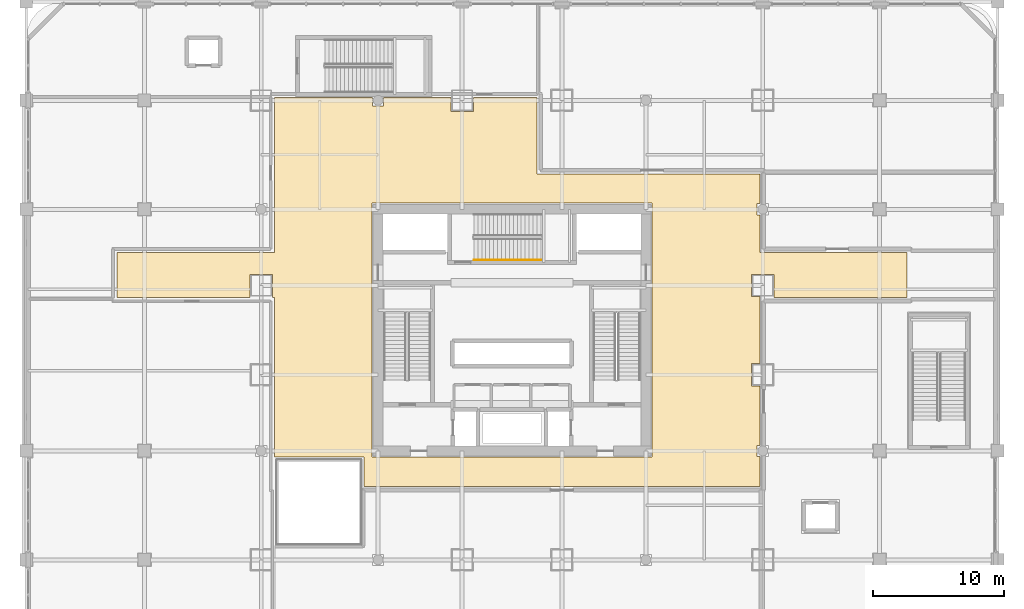
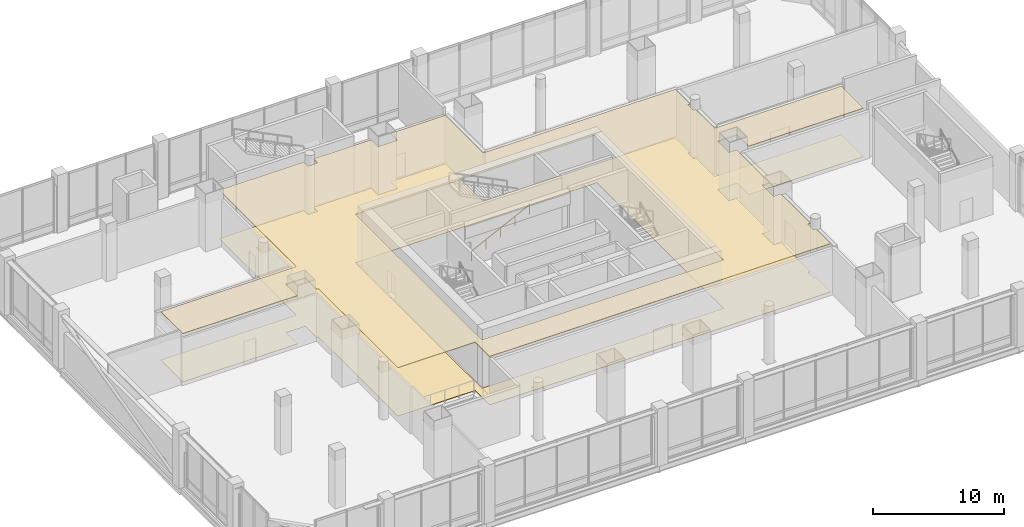
# One storey, part 34 of 39: 2 coverings, 1 railing.
"""IFC4 building model written with IfcOpenShell, lengths in metres."""

from ifc_helpers import new_model, si_unit, direction, frame, origin, origin_2d, place, context, subcontext, project, spatial, polyline, circle, outline, extrude, material, layer, layer_set, type_object, element, save


model = new_model("IFC4")

# Units and contexts
model_context = context("Model", 3, precision=1e-05, world=origin(), true_north=direction((0.0, 1.0)))
body_context = subcontext(model_context, "Body", "Model", "MODEL_VIEW")
ifc_project = project(units=[si_unit("LENGTHUNIT", "METRE"), si_unit("AREAUNIT", "SQUARE_METRE"), si_unit("VOLUMEUNIT", "CUBIC_METRE"), si_unit("PLANEANGLEUNIT", "RADIAN"), si_unit("MASSUNIT", "GRAM", prefix="KILO")], contexts=[model_context])

# Site, building, storey
site_placement = place(None, origin())
site = spatial("IfcSite", under=ifc_project, at=site_placement, CompositionType="ELEMENT")
building_placement = place(site_placement, origin())
building = spatial("IfcBuilding", under=site, at=building_placement, Name="Punatoya Terracotta Tower", CompositionType="ELEMENT")
storey_placement = place(building_placement, frame((0.0, 0.0, 11.39990234375)))
storey = spatial("IfcBuildingStorey", under=building, at=storey_placement, Name="L02", CompositionType="ELEMENT", Elevation=11.39990234375)

# Coverings
ifc_material_1 = material(Name="Acoustic Mineral Fibre Ceiling")
ifc_layer_1 = layer(ifc_material_1, 0.06005859375)
ifc_layer_set_1 = layer_set([ifc_layer_1], Name="Acoustic Mineral Fibre Ceiling")
covering_type_1 = type_object("IfcCoveringType", Name="COV-CEIL-60", PredefinedType="CEILING", material=ifc_layer_set_1)
covering_1_placement = place(storey_placement, frame((0.0, 0.0, 4.510009765625)))
element("IfcCovering", 1, at=covering_1_placement, inside=storey, type_object=covering_type_1, Name="L02 Dining Concourse Circulation Gallery Acoustic Ceiling", PredefinedType="CEILING", context=body_context, shape_type="SweptSolid", body=[
    extrude(outline(polyline([(-19.949951171875, 2.5), (-19.949951171875, 4.25), (-18.25, 4.25), (-18.25, 2.5), (-18.10009765625, 2.5), (-18.10009765625, -9.679931640625), (-11.280029296875, -9.679931640625), (-11.280029296875, -11.89990234375), (18.89990234375, -11.89990234375), (18.89990234375, -9.625), (18.675048828125, -9.625), (18.675048828125, -8.77490234375), (18.89990234375, -8.77490234375), (18.89990234375, -4.25), (18.25, -4.25), (18.25, -2.550048828125), (18.89990234375, -2.550048828125), (18.89990234375, 2.550048828125), (18.25, 2.550048828125), (18.25, 4.25), (19.949951171875, 4.25), (19.949951171875, 2.5), (30.10009765625, 2.5), (30.10009765625, 5.89990234375), (18.89990234375, 5.89990234375), (18.89990234375, 8.77490234375), (18.675048828125, 8.77490234375), (18.675048828125, 9.625), (18.89990234375, 9.625), (18.89990234375, 11.89990234375), (1.89990234375, 11.89990234375), (1.89990234375, 17.699951171875), (-2.949951171875, 17.699951171875), (-2.949951171875, 16.64990234375), (-4.64990234375, 16.64990234375), (-4.64990234375, 17.699951171875), (-9.77490234375, 17.699951171875), (-9.77490234375, 17.074951171875), (-10.625, 17.074951171875), (-10.625, 17.699951171875), (-18.10009765625, 17.699951171875), (-18.10009765625, 5.89990234375), (-30.10009765625, 5.89990234375), (-30.10009765625, 2.5), (-19.949951171875, 2.5)]), holes=[polyline([(10.679931640625, -9.679931640625), (-10.679931640625, -9.679931640625), (-10.679931640625, 9.679931640625), (10.679931640625, 9.679931640625), (10.679931640625, -9.679931640625)])]), origin(), (0.0, 0.0, 1.0), 0.06005859375),
])
ifc_material_2 = material(Name="Sandstone & Raised Access Flooring", Category="masonry")
ifc_layer_2 = layer(ifc_material_2, 0.080078125)
ifc_layer_set_2 = layer_set([ifc_layer_2], Name="Sandstone & Raised Access Flooring")
covering_type_2 = type_object("IfcCoveringType", Name="COV-FLR-80", PredefinedType="FLOORING", material=ifc_layer_set_2)
covering_2_placement = place(storey_placement, origin())
element("IfcCovering", 2, at=covering_2_placement, inside=storey, type_object=covering_type_2, Name="L02 Dining Concourse Circulation Gallery Stone Floor Finish", PredefinedType="FLOORING", context=body_context, shape_type="SweptSolid", body=[
    extrude(outline(polyline([(-19.949951171875, 2.5), (-19.949951171875, 4.25), (-18.25, 4.25), (-18.25, 2.5), (-18.10009765625, 2.5), (-18.10009765625, -9.679931640625), (-11.280029296875, -9.679931640625), (-11.280029296875, -11.89990234375), (18.89990234375, -11.89990234375), (18.89990234375, -9.625), (18.675048828125, -9.625), (18.675048828125, -8.77490234375), (18.89990234375, -8.77490234375), (18.89990234375, -4.25), (18.25, -4.25), (18.25, -2.550048828125), (18.89990234375, -2.550048828125), (18.89990234375, 2.550048828125), (18.25, 2.550048828125), (18.25, 4.25), (19.949951171875, 4.25), (19.949951171875, 2.5), (30.10009765625, 2.5), (30.10009765625, 5.89990234375), (18.89990234375, 5.89990234375), (18.89990234375, 8.77490234375), (18.675048828125, 8.77490234375), (18.675048828125, 9.625), (18.89990234375, 9.625), (18.89990234375, 11.89990234375), (1.89990234375, 11.89990234375), (1.89990234375, 17.699951171875), (-2.949951171875, 17.699951171875), (-2.949951171875, 16.64990234375), (-4.64990234375, 16.64990234375), (-4.64990234375, 17.699951171875), (-9.77490234375, 17.699951171875), (-9.77490234375, 17.074951171875), (-10.625, 17.074951171875), (-10.625, 17.699951171875), (-18.10009765625, 17.699951171875), (-18.10009765625, 5.89990234375), (-30.10009765625, 5.89990234375), (-30.10009765625, 2.5), (-19.949951171875, 2.5)]), holes=[polyline([(10.679931640625, -9.679931640625), (-10.679931640625, -9.679931640625), (-10.679931640625, 9.679931640625), (10.679931640625, 9.679931640625), (10.679931640625, -9.679931640625)])]), origin(), (0.0, 0.0, 1.0), 0.0400390625),
])

# Railing
ifc_material_3 = material(Name="Steel S355", Category="steel")
railing_type = type_object("IfcRailingType", Name="RLG-HND-900", PredefinedType="HANDRAIL", material=ifc_material_3)
railing_placement = place(storey_placement, frame((-2.89990234375, 5.35009765625, 0.150146484375)))
element("IfcRailing", 3, at=railing_placement, inside=storey, type_object=railing_type, Name="L02 ST-3 stair handrail 1", PredefinedType="HANDRAIL", context=body_context, shape_type="SweptSolid", body=[
    extrude(circle(Radius=0.02392578125, at=origin_2d()), frame((0.0, 0.0, 0.8759765625), z_axis=(0.894418627299, 0.0, 0.447230722492), x_axis=(0.0, 1.0, 0.0)), (0.0, 0.0, 1.0), 5.701904296875),
    extrude(circle(Radius=0.02099609375, at=origin_2d()), origin(), (0.0, 0.0, 1.0), 0.851806640625),
    extrude(circle(Radius=0.02099609375, at=origin_2d()), frame((1.27490234375, 0.0, 0.637451171875)), (0.0, 0.0, 1.0), 0.851806640625),
    extrude(circle(Radius=0.02099609375, at=origin_2d()), frame((2.5498046875, 0.0, 1.27490234375)), (0.0, 0.0, 1.0), 0.851806640625),
    extrude(circle(Radius=0.02099609375, at=origin_2d()), frame((3.824951171875, 0.0, 1.91259765625)), (0.0, 0.0, 1.0), 0.851806640625),
    extrude(circle(Radius=0.02099609375, at=origin_2d()), frame((5.099853515625, 0.0, 2.550048828125)), (0.0, 0.0, 1.0), 0.851806640625),
])

save(model, "model.ifc")
